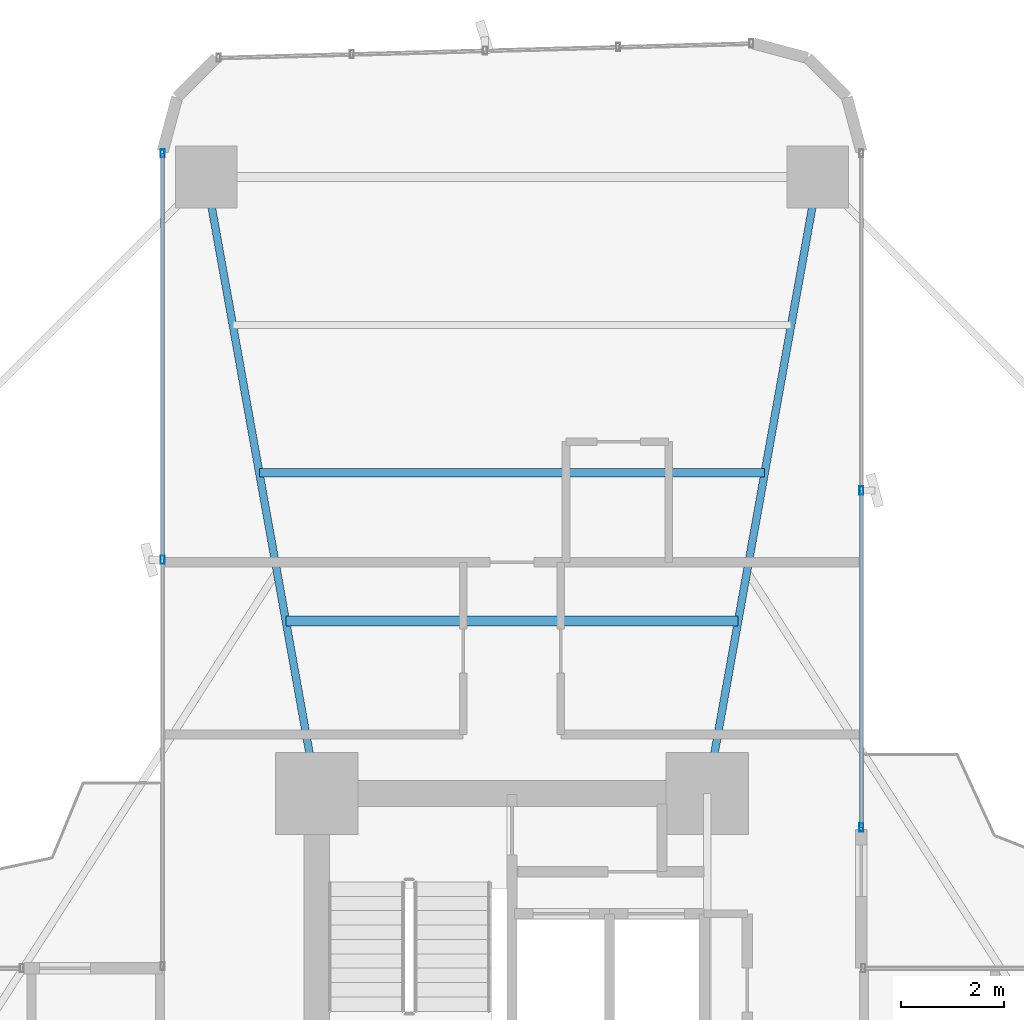
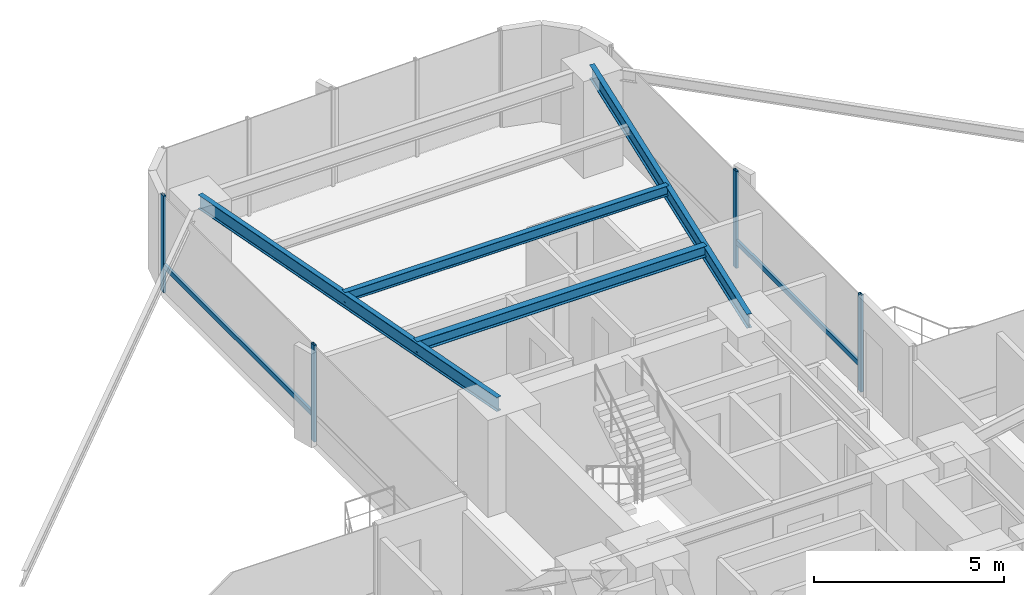
# One storey, part 18 of 25: 6 members, 4 beams, 2 elements without a shape of their own.
"""IFC4 building model written with IfcOpenShell, lengths in metres."""

from ifc_helpers import new_model, si_unit, direction, frame, origin, origin_2d, place, context, subcontext, project, spatial, hollow_rectangle, i_section, extrude, source, transform, mapped, material, material_profile, profile_set, type_object, element, aggregate, save


model = new_model("IFC4")

# Units and contexts
model_context = context("Model", 3, precision=1e-05, world=origin(), true_north=direction((0.0, 1.0)))
body_context = subcontext(model_context, "Body", "Model", "MODEL_VIEW")
ifc_project = project(units=[si_unit("LENGTHUNIT", "METRE"), si_unit("AREAUNIT", "SQUARE_METRE"), si_unit("VOLUMEUNIT", "CUBIC_METRE"), si_unit("PLANEANGLEUNIT", "RADIAN"), si_unit("MASSUNIT", "GRAM", prefix="KILO")], contexts=[model_context])

# Site, building, storey
site_placement = place(None, origin())
site = spatial("IfcSite", under=ifc_project, at=site_placement, CompositionType="ELEMENT")
building_placement = place(site_placement, origin())
building = spatial("IfcBuilding", under=site, at=building_placement, Name="Sahyath Konkavel Grand Hotel", CompositionType="ELEMENT")
storey_placement = place(building_placement, frame((0.0, 0.0, 64.449951171875)))
storey = spatial("IfcBuildingStorey", under=building, at=storey_placement, Name="L17", CompositionType="ELEMENT", Elevation=64.449951171875)

# Beams
ifc_material_1 = material(Name="Steel E350", Category="steel")
ifc_material_profile_1 = material_profile(ifc_material_1, i_section(OverallWidth=0.14990234375, OverallDepth=0.449951171875, WebThickness=0.009521484375, FlangeThickness=0.017333984375, FilletRadius=0.014892578125, at=origin_2d()), Name="ISMB 450")
ifc_profile_set_1 = profile_set([ifc_material_profile_1], Name="Steel E350")
beam_type_1 = type_object("IfcBeamType", Name="BM-ISMB450", PredefinedType="BEAM", material=ifc_profile_set_1)
shared_shape_1 = source(origin(), body_context, "Body", "SweptSolid", [
    extrude(i_section(OverallWidth=0.14990234375, OverallDepth=0.449951171875, WebThickness=0.009521484375, FlangeThickness=0.017333984375, FilletRadius=0.014892578125, at=origin_2d()), origin(), (0.0, 0.0, 1.0), 12.191162109375),
])
for number, where, z_axis, x_axis, name in (
    (1, (3.800048828125, 10.199951171875, 2.885009765625), (0.176350650305, 0.984327409014, 0.0), (-0.984327409014, 0.176350650305, 0.0), "L17 Cruciform Radial Girder NA"),
    (2, (-3.800048828125, 10.199951171875, 2.885009765625), (-0.176350650305, 0.984327409014, 0.0), (-0.984327409014, -0.176350650305, 0.0), "L17 Cruciform Radial Girder NB"),
):
    element("IfcBeam", number, at=place(storey_placement, frame(where, z_axis=z_axis, x_axis=x_axis)), inside=storey, type_object=beam_type_1, Name=name, PredefinedType="BEAM", context=body_context, shape_type="MappedRepresentation", body=[
        mapped(shared_shape_1, transform((0.0, 0.0, 0.0), scale=1.0)),
    ])
ifc_material_profile_2 = material_profile(ifc_material_1, i_section(OverallWidth=0.199951171875, OverallDepth=0.35009765625, WebThickness=0.008056640625, FlangeThickness=0.011474609375, FilletRadius=0.013916015625, at=origin_2d()), Name="ISWB 350")
ifc_profile_set_2 = profile_set([ifc_material_profile_2], Name="Steel E350")
beam_type_2 = type_object("IfcBeamType", Name="BM-ISWB350", PredefinedType="BEAM", material=ifc_profile_set_2)
shared_shape_2 = source(origin(), body_context, "Body", "SweptSolid", [
    extrude(i_section(OverallWidth=0.199951171875, OverallDepth=0.35009765625, WebThickness=0.008056640625, FlangeThickness=0.011474609375, FilletRadius=0.013916015625, at=origin_2d()), origin(), (0.0, 0.0, 1.0), 8.80419921875),
])
beam_1_placement = place(storey_placement, frame((4.402099609375, 13.56005859375, 2.93505859375), z_axis=(-1.0, 0.0, 0.0), x_axis=(0.0, -1.0, 0.0)))
element("IfcBeam", 3, at=beam_1_placement, inside=storey, type_object=beam_type_2, Name="L17 Secondary Floor Beam N-1", PredefinedType="BEAM", context=body_context, shape_type="MappedRepresentation", body=[
    mapped(shared_shape_2, transform((0.0, 0.0, 0.0), scale=1.0)),
])
ifc_material_profile_3 = material_profile(ifc_material_1, i_section(OverallWidth=0.1650390625, OverallDepth=0.324951171875, WebThickness=0.007080078125, FlangeThickness=0.009765625, FilletRadius=0.014892578125, at=origin_2d()), Name="ISLB 325")
ifc_profile_set_3 = profile_set([ifc_material_profile_3], Name="Steel E350")
beam_type_3 = type_object("IfcBeamType", Name="BM-ISLB325", PredefinedType="BEAM", material=ifc_profile_set_3)
shared_shape_3 = source(origin(), body_context, "Body", "SweptSolid", [
    extrude(i_section(OverallWidth=0.1650390625, OverallDepth=0.324951171875, WebThickness=0.007080078125, FlangeThickness=0.009765625, FilletRadius=0.014892578125, at=origin_2d()), origin(), (0.0, 0.0, 1.0), 9.8359375),
])
beam_2_placement = place(storey_placement, frame((4.91796875, 16.43994140625, 2.947509765625), z_axis=(-1.0, 0.0, 0.0), x_axis=(0.0, -1.0, 0.0)))
element("IfcBeam", 4, at=beam_2_placement, inside=storey, type_object=beam_type_3, Name="L17 Secondary Floor Beam N-2", PredefinedType="BEAM", context=body_context, shape_type="MappedRepresentation", body=[
    mapped(shared_shape_3, transform((0.0, 0.0, 0.0), scale=1.0)),
])

# Curtain wall, member
ifc_material_2 = material(Name="Anodised Bronze Aluminium & Low-E Glazing", Category="aluminium")
curtain_wall_type = type_object("IfcCurtainWallType", Name="CW-ZONE1", PredefinedType="NOTDEFINED", material=ifc_material_2)
curtain_wall_1_placement = place(storey_placement, origin())
curtain_wall_1 = element("IfcCurtainWall", 5, at=curtain_wall_1_placement, inside=storey, type_object=curtain_wall_type, Name="L17 Unitised Curtain Wall F15", PredefinedType="NOTDEFINED")
ifc_material_3 = material(Name="Anodised Bronze Aluminium", Category="aluminium")
ifc_material_profile_4 = material_profile(ifc_material_3, hollow_rectangle(XDim=0.080078125, YDim=0.159912109375, WallThickness=0.006103515625, at=origin_2d()), Name="RHS 160x80x6")
ifc_profile_set_4 = profile_set([ifc_material_profile_4], Name="Anodised Bronze Aluminium")
member_type_1 = type_object("IfcMemberType", Name="CW-TRN-160", PredefinedType="USERDEFINED", material=ifc_profile_set_4)
shared_shape_4 = source(origin(), body_context, "Body", "SweptSolid", [
    extrude(hollow_rectangle(XDim=0.080078125, YDim=0.159912109375, WallThickness=0.006103515625, at=origin_2d()), origin(), (0.0, 0.0, 1.0), 7.909912109375),
])
member_1_placement = place(storey_placement, frame((-6.800048828125, 22.659912109375, 0.85009765625), z_axis=(0.0, -1.0, 0.0), x_axis=(1.0, 0.0, 0.0)))
member_1 = element("IfcMember", 6, at=member_1_placement, type_object=member_type_1, Name="L17 Curtain Wall Transom F15-0-spandrel", ObjectType="TRANSOM", PredefinedType="USERDEFINED", context=body_context, shape_type="MappedRepresentation", body=[
    mapped(shared_shape_4, transform((0.0, 0.0, 0.0), scale=1.0)),
])

# Curtain wall, members
curtain_wall_2_placement = place(storey_placement, origin())
curtain_wall_2 = element("IfcCurtainWall", 7, at=curtain_wall_2_placement, inside=storey, type_object=curtain_wall_type, Name="L17 Unitised Curtain Wall F8", PredefinedType="NOTDEFINED")
ifc_material_profile_5 = material_profile(ifc_material_3, hollow_rectangle(XDim=0.080078125, YDim=0.159912109375, WallThickness=0.006103515625, at=origin_2d()), Name="RHS 160x80x6")
ifc_profile_set_5 = profile_set([ifc_material_profile_5], Name="Anodised Bronze Aluminium")
member_type_2 = type_object("IfcMemberType", Name="CW-MUL-160", PredefinedType="MULLION", material=ifc_profile_set_5)
shared_shape_5 = source(origin(), body_context, "Body", "SweptSolid", [
    extrude(hollow_rectangle(XDim=0.080078125, YDim=0.159912109375, WallThickness=0.006103515625, at=origin_2d()), origin(), (0.0, 0.0, 1.0), 3.110107421875),
])
member_2_placement = place(storey_placement, frame((6.800048828125, 9.5400390625, 0.0), z_axis=(0.0, 0.0, 1.0), x_axis=(1.0, 0.0, 0.0)))
member_2 = element("IfcMember", 8, at=member_2_placement, type_object=member_type_2, Name="L17 Curtain Wall Mullion F8-0", PredefinedType="MULLION", context=body_context, shape_type="MappedRepresentation", body=[
    mapped(shared_shape_5, transform((0.0, 0.0, 0.0), scale=1.0)),
])
member_3_placement = place(storey_placement, frame((6.800048828125, 16.10009765625, 0.0), z_axis=(0.0, 0.0, 1.0), x_axis=(1.0, 0.0, 0.0)))
member_3 = element("IfcMember", 9, at=member_3_placement, type_object=member_type_2, Name="L17 Curtain Wall Mullion F8-1", PredefinedType="MULLION", context=body_context, shape_type="MappedRepresentation", body=[
    mapped(shared_shape_5, transform((0.0, 0.0, 0.0), scale=1.0)),
])

# Member
member_4_placement = place(storey_placement, frame((-6.800048828125, 22.659912109375, 0.0), z_axis=(0.0, 0.0, 1.0), x_axis=(1.0, 0.0, 0.0)))
member_4 = element("IfcMember", 10, at=member_4_placement, type_object=member_type_2, Name="L17 Curtain Wall Mullion F15-0", PredefinedType="MULLION", context=body_context, shape_type="MappedRepresentation", body=[
    mapped(shared_shape_5, transform((0.0, 0.0, 0.0), scale=1.0)),
])

member_5_placement = place(storey_placement, frame((-6.800048828125, 14.75, 0.0), z_axis=(0.0, 0.0, 1.0), x_axis=(1.0, 0.0, 0.0)))
member_5 = element("IfcMember", 11, at=member_5_placement, type_object=member_type_2, Name="L17 Curtain Wall Mullion F15-1", PredefinedType="MULLION", context=body_context, shape_type="MappedRepresentation", body=[
    mapped(shared_shape_5, transform((0.0, 0.0, 0.0), scale=1.0)),
])

aggregate(curtain_wall_1, [member_4, member_5, member_1])

shared_shape_6 = source(origin(), body_context, "Body", "SweptSolid", [
    extrude(hollow_rectangle(XDim=0.080078125, YDim=0.159912109375, WallThickness=0.006103515625, at=origin_2d()), origin(), (0.0, 0.0, 1.0), 6.56005859375),
])
member_6_placement = place(storey_placement, frame((6.800048828125, 9.5400390625, 0.85009765625), z_axis=(0.0, 1.0, 0.0), x_axis=(-1.0, 0.0, 0.0)))
member_6 = element("IfcMember", 12, at=member_6_placement, type_object=member_type_1, Name="L17 Curtain Wall Transom F8-0-spandrel", ObjectType="TRANSOM", PredefinedType="USERDEFINED", context=body_context, shape_type="MappedRepresentation", body=[
    mapped(shared_shape_6, transform((0.0, 0.0, 0.0), scale=1.0)),
])

aggregate(curtain_wall_2, [member_2, member_3, member_6])

save(model, "model.ifc")
